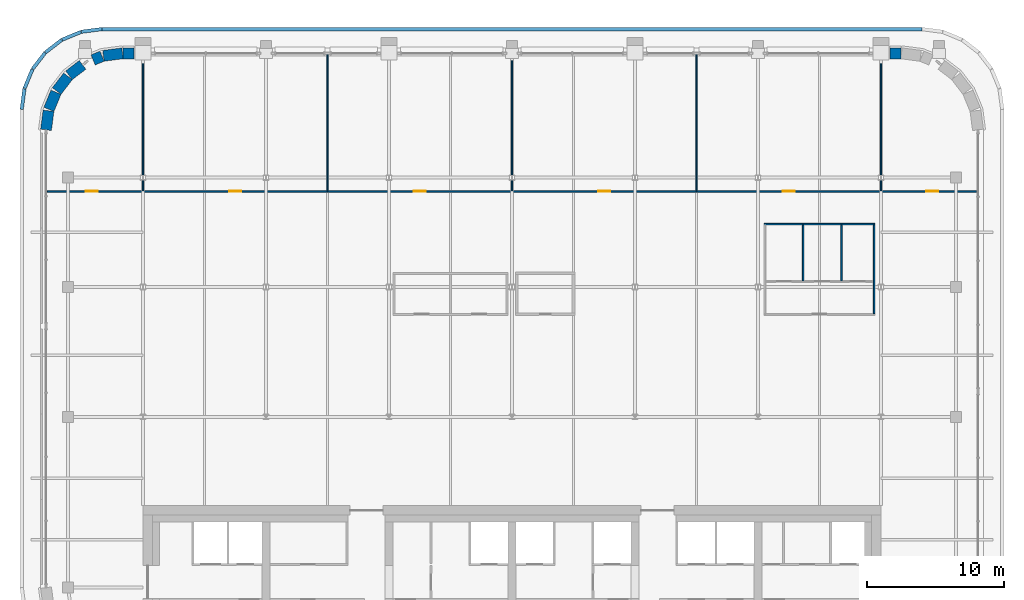
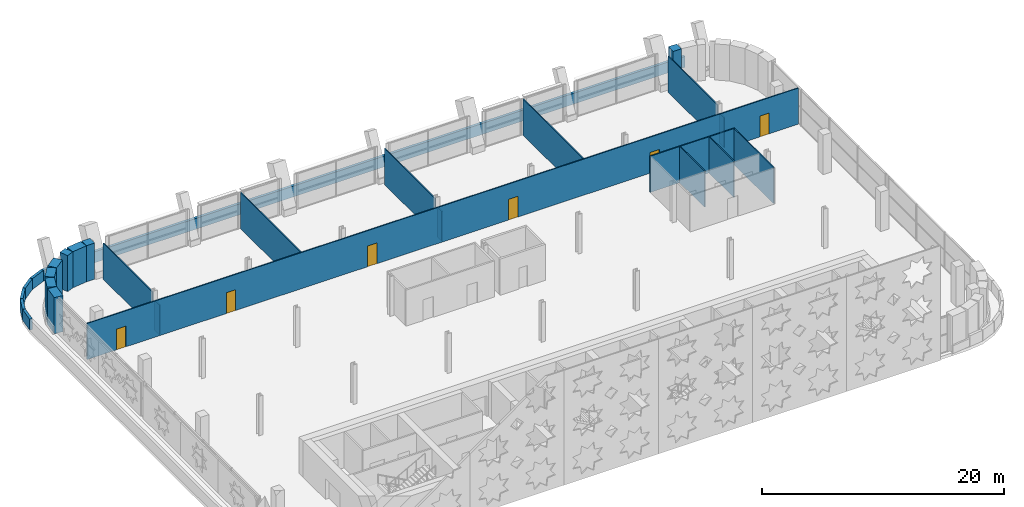
# One storey, part 18 of 25: 28 walls, 6 doors, 6 openings.
"""IFC4 building model written with IfcOpenShell, lengths in metres."""

from ifc_helpers import new_model, si_unit, direction, frame, frame_2d, origin, place, context, subcontext, project, spatial, rectangle, extrude, material, layer, layer_set, type_object, element, fill, save


model = new_model("IFC4")

# Units and contexts
model_context = context("Model", 3, precision=1e-05, world=origin(), true_north=direction((0.0, 1.0)))
body_context = subcontext(model_context, "Body", "Model", "MODEL_VIEW")
ifc_project = project(units=[si_unit("LENGTHUNIT", "METRE"), si_unit("AREAUNIT", "SQUARE_METRE"), si_unit("VOLUMEUNIT", "CUBIC_METRE"), si_unit("PLANEANGLEUNIT", "RADIAN"), si_unit("MASSUNIT", "GRAM", prefix="KILO")], contexts=[model_context])

# Site, building, storey
site_placement = place(None, origin())
site = spatial("IfcSite", under=ifc_project, at=site_placement, CompositionType="ELEMENT")
building_placement = place(site_placement, origin())
building = spatial("IfcBuilding", under=site, at=building_placement, Name="Zellij Exchange Tower", CompositionType="ELEMENT")
storey_placement = place(building_placement, frame((0.0, 0.0, 264.5)))
storey = spatial("IfcBuildingStorey", under=building, at=storey_placement, Name="L62", CompositionType="ELEMENT", Elevation=264.5)

# Walls
ifc_material_1 = material(Name="Precast concrete C40/50", Category="concrete")
ifc_layer_1 = layer(ifc_material_1, 0.800048828125)
ifc_layer_set_1 = layer_set([ifc_layer_1], Name="Precast concrete C40/50")
wall_type_1 = type_object("IfcWallType", Name="ENV-EW1 Precast stone-piered wall 800", PredefinedType="SOLIDWALL", material=ifc_layer_set_1)
for number, where, z_axis, x_axis, name in (
    (1, (28.447509765625, 31.10009765625, 0.0), (0.0, 0.0, 1.0), (-1.0, 0.0, 0.0), "fac.L62.14a"),
    (2, (-27.64990234375, 31.10009765625, 0.0), (0.0, 0.0, 1.0), (-1.0, 0.0, 0.0), "fac.L62.14j"),
):
    element("IfcWall", number, at=place(storey_placement, frame(where, z_axis=z_axis, x_axis=x_axis)), inside=storey, type_object=wall_type_1, Name=name, PredefinedType="SOLIDWALL", context=body_context, shape_type="SweptSolid", body=[
        extrude(rectangle(XDim=0.797607421875, YDim=0.800048828125, at=frame_2d((0.39892578125, 0.0))), origin(), (0.0, 0.0, 1.0), 3.64990234375),
    ])
wall_1_placement = place(storey_placement, frame((-28.499755859375, 31.0966796875, 0.0), z_axis=(0.0, 0.0, 1.0), x_axis=(-0.99144603414, -0.130517283865, 0.0)))
element("IfcWall", 3, at=wall_1_placement, inside=storey, type_object=wall_type_1, Name="fac.L62.15", PredefinedType="SOLIDWALL", context=body_context, shape_type="SweptSolid", body=[
    extrude(rectangle(XDim=1.408447265625, YDim=0.800048828125, at=frame_2d((0.7041015625, 0.0))), origin(), (0.0, 0.0, 1.0), 3.64990234375),
])
wall_2_placement = place(storey_placement, frame((-29.997314453125, 30.8857421875, 0.0), z_axis=(0.0, 0.0, 1.0), x_axis=(-0.923810617216, -0.382849766253, 0.0)))
element("IfcWall", 4, at=wall_2_placement, inside=storey, type_object=wall_type_1, Name="fac.L62.16", PredefinedType="SOLIDWALL", context=body_context, shape_type="SweptSolid", body=[
    extrude(rectangle(XDim=0.707275390625, YDim=0.800048828125, at=frame_2d((0.353515625, 0.0))), origin(), (0.0, 0.0, 1.0), 3.64990234375),
])
wall_3_placement = place(storey_placement, frame((-31.42138671875, 30.252197265625, 0.0), z_axis=(0.0, 0.0, 1.0), x_axis=(-0.793311514341, -0.608815933771, 0.0)))
element("IfcWall", 5, at=wall_3_placement, inside=storey, type_object=wall_type_1, Name="fac.L62.17", PredefinedType="SOLIDWALL", context=body_context, shape_type="SweptSolid", body=[
    extrude(rectangle(XDim=1.253173828125, YDim=0.800048828125, at=frame_2d((0.62646484375, 0.0))), origin(), (0.0, 0.0, 1.0), 3.64990234375),
])
wall_4_placement = place(storey_placement, frame((-32.4892578125, 29.41552734375, 0.0), z_axis=(0.0, 0.0, 1.0), x_axis=(-0.608866226366, -0.793272915452, 0.0)))
element("IfcWall", 6, at=wall_4_placement, inside=storey, type_object=wall_type_1, Name="fac.L62.18", PredefinedType="SOLIDWALL", context=body_context, shape_type="SweptSolid", body=[
    extrude(rectangle(XDim=1.355712890625, YDim=0.800048828125, at=frame_2d((0.677734375, 0.0))), origin(), (0.0, 0.0, 1.0), 3.64990234375),
])
wall_5_placement = place(storey_placement, frame((-33.366943359375, 28.24951171875, 0.0), z_axis=(0.0, 0.0, 1.0), x_axis=(-0.38276009378, -0.923847774587, 0.0)))
element("IfcWall", 7, at=wall_5_placement, inside=storey, type_object=wall_type_1, Name="fac.L62.19", PredefinedType="SOLIDWALL", context=body_context, shape_type="SweptSolid", body=[
    extrude(rectangle(XDim=1.35546875, YDim=0.800048828125, at=frame_2d((0.677734375, 0.0))), origin(), (0.0, 0.0, 1.0), 3.64990234375),
])
wall_6_placement = place(storey_placement, frame((-33.912841796875, 26.896240234375, 0.0), z_axis=(0.0, 0.0, 1.0), x_axis=(-0.130517283865, -0.99144603414, 0.0)))
element("IfcWall", 8, at=wall_6_placement, inside=storey, type_object=wall_type_1, Name="fac.L62.20", PredefinedType="SOLIDWALL", context=body_context, shape_type="SweptSolid", body=[
    extrude(rectangle(XDim=1.408447265625, YDim=0.800048828125, at=frame_2d((0.7041015625, 0.0))), origin(), (0.0, 0.0, 1.0), 3.64990234375),
])
ifc_layer_2 = layer(ifc_material_1, 0.25)
ifc_layer_set_2 = layer_set([ifc_layer_2], Name="Precast concrete C40/50")
wall_type_2 = type_object("IfcWallType", Name="ENV-PR1 Parapet 250", PredefinedType="PARAPET", material=ifc_layer_set_2)
wall_7_placement = place(storey_placement, frame((29.983642578125, 32.875, 0.0), z_axis=(0.0, 0.0, 1.0), x_axis=(-1.0, 0.0, 0.0)))
element("IfcWall", 9, at=wall_7_placement, inside=storey, type_object=wall_type_2, Name="fac.par.L62.01.01.14", PredefinedType="PARAPET", context=body_context, shape_type="SweptSolid", body=[
    extrude(rectangle(XDim=59.96728515625, YDim=0.25, at=frame_2d((29.983642578125, 0.0))), origin(), (0.0, 0.0, 1.0), 1.10009765625),
])
wall_8_placement = place(storey_placement, frame((-30.0, 32.873779296875, 0.0), z_axis=(0.0, 0.0, 1.0), x_axis=(-0.991465248625, -0.130371242108, 0.0)))
element("IfcWall", 10, at=wall_8_placement, inside=storey, type_object=wall_type_2, Name="fac.par.L62.01.01.15", PredefinedType="PARAPET", context=body_context, shape_type="SweptSolid", body=[
    extrude(rectangle(XDim=1.516845703125, YDim=0.25, at=frame_2d((0.75830078125, 0.0))), origin(), (0.0, 0.0, 1.0), 1.10009765625),
])
for number, where, z_axis, x_axis, name in (
    (11, (-31.535400390625, 32.66748046875, 0.0), (0.0, 0.0, 1.0), (-0.923874044744, -0.382696680739, 0.0), "fac.par.L62.01.01.16"),
    (12, (-32.949951171875, 32.076904296875, 0.0), (0.0, 0.0, 1.0), (-0.793391561776, -0.608711614562, 0.0), "fac.par.L62.01.01.17"),
    (13, (-34.16357421875, 31.140380859375, 0.0), (0.0, 0.0, 1.0), (-0.608711614562, -0.793391561776, 0.0), "fac.par.L62.01.01.18"),
    (14, (-35.09326171875, 29.921630859375, 0.0), (0.0, 0.0, 1.0), (-0.382696680739, -0.923874044744, 0.0), "fac.par.L62.01.01.19"),
):
    element("IfcWall", number, at=place(storey_placement, frame(where, z_axis=z_axis, x_axis=x_axis)), inside=storey, type_object=wall_type_2, Name=name, PredefinedType="PARAPET", context=body_context, shape_type="SweptSolid", body=[
        extrude(rectangle(XDim=1.50048828125, YDim=0.25, at=frame_2d((0.750244140625, 0.0))), origin(), (0.0, 0.0, 1.0), 1.10009765625),
    ])
wall_9_placement = place(storey_placement, frame((-35.676025390625, 28.50390625, 0.0), z_axis=(0.0, 0.0, 1.0), x_axis=(-0.130371242108, -0.991465248625, 0.0)))
element("IfcWall", 15, at=wall_9_placement, inside=storey, type_object=wall_type_2, Name="fac.par.L62.01.01.20", PredefinedType="PARAPET", context=body_context, shape_type="SweptSolid", body=[
    extrude(rectangle(XDim=1.516845703125, YDim=0.25, at=frame_2d((0.75830078125, 0.0))), origin(), (0.0, 0.0, 1.0), 1.10009765625),
])
ifc_material_2 = material(Name="Gypsum board partition on steel studs", Category="steel")
ifc_layer_3 = layer(ifc_material_2, 0.10009765625)
ifc_layer_set_3 = layer_set([ifc_layer_3], Name="Gypsum board partition on steel studs")
wall_type_3 = type_object("IfcWallType", Name="FIT-PARTITION-100", PredefinedType="PARTITIONING", material=ifc_layer_set_3)
wall_10_placement = place(storey_placement, frame((26.5, 12.050048828125, 0.0), z_axis=(0.0, 0.0, 1.0), x_axis=(0.0, 1.0, 0.0)))
element("IfcWall", 16, at=wall_10_placement, inside=storey, type_object=wall_type_3, Name="FIT-PARTITION-100 010", PredefinedType="PARTITIONING", context=body_context, shape_type="SweptSolid", body=[
    extrude(rectangle(XDim=6.5, YDim=0.10009765625, at=frame_2d((3.25, 0.0))), origin(), (0.0, 0.0, 1.0), 3.64990234375),
])
for number, where, z_axis, x_axis, name in (
    (17, (21.300048828125, 14.449951171875, 0.0), (0.0, 0.0, 1.0), (0.0, 1.0, 0.0), "FIT-PARTITION-100 012"),
    (18, (24.10009765625, 14.449951171875, 0.0), (0.0, 0.0, 1.0), (0.0, 1.0, 0.0), "FIT-PARTITION-100 013"),
):
    element("IfcWall", number, at=place(storey_placement, frame(where, z_axis=z_axis, x_axis=x_axis)), inside=storey, type_object=wall_type_3, Name=name, PredefinedType="PARTITIONING", context=body_context, shape_type="SweptSolid", body=[
        extrude(rectangle(XDim=4.10009765625, YDim=0.10009765625, at=frame_2d((2.050048828125, 0.0))), origin(), (0.0, 0.0, 1.0), 3.64990234375),
    ])
wall_11_placement = place(storey_placement, frame((18.449951171875, 18.60009765625, 0.0), z_axis=(0.0, 0.0, 1.0), x_axis=(1.0, 0.0, 0.0)))
element("IfcWall", 19, at=wall_11_placement, inside=storey, type_object=wall_type_3, Name="FIT-PARTITION-100 016", PredefinedType="PARTITIONING", context=body_context, shape_type="SweptSolid", body=[
    extrude(rectangle(XDim=8.10009765625, YDim=0.10009765625, at=frame_2d((4.050048828125, 0.0))), origin(), (0.0, 0.0, 1.0), 3.64990234375),
])

# Wall, openings, doors
wall_12_placement = place(storey_placement, frame((-33.99609375, 21.0, 0.0), z_axis=(0.0, 0.0, 1.0), x_axis=(1.0, 0.0, 0.0)))
wall_12 = element("IfcWall", 20, at=wall_12_placement, inside=storey, type_object=wall_type_3, Name="FIT-PARTITION-100 017", PredefinedType="PARTITIONING", context=body_context, shape_type="SweptSolid", body=[
    extrude(rectangle(XDim=67.9921875, YDim=0.10009765625, at=frame_2d((33.99609375, 0.0))), origin(), (0.0, 0.0, 1.0), 3.64990234375),
])
opening_1_placement = place(wall_12_placement, frame((2.7958984375, 0.0, 0.0)))
opening_1 = element("IfcOpeningElement", 21, at=opening_1_placement, cuts=wall_12, Name="Opening SL62.08", PredefinedType="OPENING", context=body_context, shape_type="SweptSolid", body=[
    extrude(rectangle(XDim=0.89990234375, YDim=2.10009765625, at=frame_2d((0.449951171875, 1.050048828125))), frame((0.0, 0.06201171875, 0.0), z_axis=(0.0, -1.0, 0.0), x_axis=(1.0, 0.0, 0.0)), (0.0, 0.0, 1.0), 0.1240234375),
])
opening_2_placement = place(wall_12_placement, frame((13.2958984375, 0.0, 0.0)))
opening_2 = element("IfcOpeningElement", 22, at=opening_2_placement, cuts=wall_12, Name="Opening SL62.09", PredefinedType="OPENING", context=body_context, shape_type="SweptSolid", body=[
    extrude(rectangle(XDim=0.89990234375, YDim=2.10009765625, at=frame_2d((0.449951171875, 1.050048828125))), frame((0.0, 0.06201171875, 0.0), z_axis=(0.0, -1.0, 0.0), x_axis=(1.0, 0.0, 0.0)), (0.0, 0.0, 1.0), 0.1240234375),
])
opening_3_placement = place(wall_12_placement, frame((26.7958984375, 0.0, 0.0)))
opening_3 = element("IfcOpeningElement", 23, at=opening_3_placement, cuts=wall_12, Name="Opening SL62.10", PredefinedType="OPENING", context=body_context, shape_type="SweptSolid", body=[
    extrude(rectangle(XDim=0.89990234375, YDim=2.10009765625, at=frame_2d((0.449951171875, 1.050048828125))), frame((0.0, 0.06201171875, 0.0), z_axis=(0.0, -1.0, 0.0), x_axis=(1.0, 0.0, 0.0)), (0.0, 0.0, 1.0), 0.1240234375),
])
opening_4_placement = place(wall_12_placement, frame((40.2958984375, 0.0, 0.0)))
opening_4 = element("IfcOpeningElement", 24, at=opening_4_placement, cuts=wall_12, Name="Opening SL62.11", PredefinedType="OPENING", context=body_context, shape_type="SweptSolid", body=[
    extrude(rectangle(XDim=0.89990234375, YDim=2.10009765625, at=frame_2d((0.449951171875, 1.050048828125))), frame((0.0, 0.06201171875, 0.0), z_axis=(0.0, -1.0, 0.0), x_axis=(1.0, 0.0, 0.0)), (0.0, 0.0, 1.0), 0.1240234375),
])
opening_5_placement = place(wall_12_placement, frame((53.7958984375, 0.0, 0.0)))
opening_5 = element("IfcOpeningElement", 25, at=opening_5_placement, cuts=wall_12, Name="Opening SL62.12", PredefinedType="OPENING", context=body_context, shape_type="SweptSolid", body=[
    extrude(rectangle(XDim=0.89990234375, YDim=2.10009765625, at=frame_2d((0.449951171875, 1.050048828125))), frame((0.0, 0.06201171875, 0.0), z_axis=(0.0, -1.0, 0.0), x_axis=(1.0, 0.0, 0.0)), (0.0, 0.0, 1.0), 0.1240234375),
])
opening_6_placement = place(wall_12_placement, frame((64.2958984375, 0.0, 0.0)))
opening_6 = element("IfcOpeningElement", 26, at=opening_6_placement, cuts=wall_12, Name="Opening SL62.13", PredefinedType="OPENING", context=body_context, shape_type="SweptSolid", body=[
    extrude(rectangle(XDim=0.89990234375, YDim=2.10009765625, at=frame_2d((0.449951171875, 1.050048828125))), frame((0.0, 0.06201171875, 0.0), z_axis=(0.0, -1.0, 0.0), x_axis=(1.0, 0.0, 0.0)), (0.0, 0.0, 1.0), 0.1240234375),
])
ifc_material_3 = material(Name="Timber door set", Category="wood")
door_type = type_object("IfcDoorType", Name="FIT-D1-ROOM-900X2100", OperationType="SINGLE_SWING_LEFT", PredefinedType="DOOR", material=ifc_material_3)
door_1_placement = place(opening_1_placement, origin())
door_1 = element("IfcDoor", 27, at=door_1_placement, inside=storey, type_object=door_type, Name="Door SL62.08", OperationType="SINGLE_SWING_RIGHT", OverallHeight=2.10009765625, OverallWidth=0.89990234375, PredefinedType="DOOR", context=body_context, shape_type="SweptSolid", body=[
    extrude(rectangle(XDim=0.89990234375, YDim=2.10009765625, at=frame_2d((0.449951171875, 1.050048828125))), frame((0.0, 0.02490234375, 0.0), z_axis=(0.0, -1.0, 0.0), x_axis=(1.0, 0.0, 0.0)), (0.0, 0.0, 1.0), 0.050048828125),
])
fill(opening_1, door_1)
door_2_placement = place(opening_2_placement, origin())
door_2 = element("IfcDoor", 28, at=door_2_placement, inside=storey, type_object=door_type, Name="Door SL62.09", OperationType="SINGLE_SWING_RIGHT", OverallHeight=2.10009765625, OverallWidth=0.89990234375, PredefinedType="DOOR", context=body_context, shape_type="SweptSolid", body=[
    extrude(rectangle(XDim=0.89990234375, YDim=2.10009765625, at=frame_2d((0.449951171875, 1.050048828125))), frame((0.0, 0.02490234375, 0.0), z_axis=(0.0, -1.0, 0.0), x_axis=(1.0, 0.0, 0.0)), (0.0, 0.0, 1.0), 0.050048828125),
])
fill(opening_2, door_2)
door_3_placement = place(opening_3_placement, origin())
door_3 = element("IfcDoor", 29, at=door_3_placement, inside=storey, type_object=door_type, Name="Door SL62.10", OperationType="SINGLE_SWING_RIGHT", OverallHeight=2.10009765625, OverallWidth=0.89990234375, PredefinedType="DOOR", context=body_context, shape_type="SweptSolid", body=[
    extrude(rectangle(XDim=0.89990234375, YDim=2.10009765625, at=frame_2d((0.449951171875, 1.050048828125))), frame((0.0, 0.02490234375, 0.0), z_axis=(0.0, -1.0, 0.0), x_axis=(1.0, 0.0, 0.0)), (0.0, 0.0, 1.0), 0.050048828125),
])
fill(opening_3, door_3)
door_4_placement = place(opening_4_placement, origin())
door_4 = element("IfcDoor", 30, at=door_4_placement, inside=storey, type_object=door_type, Name="Door SL62.11", OperationType="SINGLE_SWING_RIGHT", OverallHeight=2.10009765625, OverallWidth=0.89990234375, PredefinedType="DOOR", context=body_context, shape_type="SweptSolid", body=[
    extrude(rectangle(XDim=0.89990234375, YDim=2.10009765625, at=frame_2d((0.449951171875, 1.050048828125))), frame((0.0, 0.02490234375, 0.0), z_axis=(0.0, -1.0, 0.0), x_axis=(1.0, 0.0, 0.0)), (0.0, 0.0, 1.0), 0.050048828125),
])
fill(opening_4, door_4)
door_5_placement = place(opening_5_placement, origin())
door_5 = element("IfcDoor", 31, at=door_5_placement, inside=storey, type_object=door_type, Name="Door SL62.12", OperationType="SINGLE_SWING_RIGHT", OverallHeight=2.10009765625, OverallWidth=0.89990234375, PredefinedType="DOOR", context=body_context, shape_type="SweptSolid", body=[
    extrude(rectangle(XDim=0.89990234375, YDim=2.10009765625, at=frame_2d((0.449951171875, 1.050048828125))), frame((0.0, 0.02490234375, 0.0), z_axis=(0.0, -1.0, 0.0), x_axis=(1.0, 0.0, 0.0)), (0.0, 0.0, 1.0), 0.050048828125),
])
fill(opening_5, door_5)
door_6_placement = place(opening_6_placement, origin())
door_6 = element("IfcDoor", 32, at=door_6_placement, inside=storey, type_object=door_type, Name="Door SL62.13", OperationType="SINGLE_SWING_LEFT", OverallHeight=2.10009765625, OverallWidth=0.89990234375, PredefinedType="DOOR", context=body_context, shape_type="SweptSolid", body=[
    extrude(rectangle(XDim=0.89990234375, YDim=2.10009765625, at=frame_2d((0.449951171875, 1.050048828125))), frame((0.0, 0.02490234375, 0.0), z_axis=(0.0, -1.0, 0.0), x_axis=(1.0, 0.0, 0.0)), (0.0, 0.0, 1.0), 0.050048828125),
])
fill(opening_6, door_6)

# Walls
wall_13_placement = place(storey_placement, frame((-27.0, 21.050048828125, 0.0), z_axis=(0.0, 0.0, 1.0), x_axis=(0.0, 1.0, 0.0)))
element("IfcWall", 33, at=wall_13_placement, inside=storey, type_object=wall_type_3, Name="FIT-PARTITION-100 018", PredefinedType="PARTITIONING", context=body_context, shape_type="SweptSolid", body=[
    extrude(rectangle(XDim=0.7568359375, YDim=0.10009765625, at=frame_2d((0.37841796875, 0.0))), origin(), (0.0, 0.0, 1.0), 3.04296875),
])
wall_14_placement = place(storey_placement, frame((-27.0, 22.193115234375, 0.0), z_axis=(0.0, 0.0, 1.0), x_axis=(0.0, 1.0, 0.0)))
element("IfcWall", 34, at=wall_14_placement, inside=storey, type_object=wall_type_3, Name="FIT-PARTITION-100 019", PredefinedType="PARTITIONING", context=body_context, shape_type="SweptSolid", body=[
    extrude(rectangle(XDim=8.156982421875, YDim=0.10009765625, at=frame_2d((4.07861328125, 0.0))), origin(), (0.0, 0.0, 1.0), 3.64990234375),
])
wall_15_placement = place(storey_placement, frame((-13.5, 21.050048828125, 0.0), z_axis=(0.0, 0.0, 1.0), x_axis=(0.0, 1.0, 0.0)))
element("IfcWall", 35, at=wall_15_placement, inside=storey, type_object=wall_type_3, Name="FIT-PARTITION-100 020", PredefinedType="PARTITIONING", context=body_context, shape_type="SweptSolid", body=[
    extrude(rectangle(XDim=9.949951171875, YDim=0.10009765625, at=frame_2d((4.97509765625, 0.0))), origin(), (0.0, 0.0, 1.0), 3.64990234375),
])
wall_16_placement = place(storey_placement, frame((0.0, 21.050048828125, 0.0), z_axis=(0.0, 0.0, 1.0), x_axis=(0.0, 1.0, 0.0)))
element("IfcWall", 36, at=wall_16_placement, inside=storey, type_object=wall_type_3, Name="FIT-PARTITION-100 021", PredefinedType="PARTITIONING", context=body_context, shape_type="SweptSolid", body=[
    extrude(rectangle(XDim=0.7568359375, YDim=0.10009765625, at=frame_2d((0.37841796875, 0.0))), origin(), (0.0, 0.0, 1.0), 3.04296875),
])
wall_17_placement = place(storey_placement, frame((0.0, 22.193115234375, 0.0), z_axis=(0.0, 0.0, 1.0), x_axis=(0.0, 1.0, 0.0)))
element("IfcWall", 37, at=wall_17_placement, inside=storey, type_object=wall_type_3, Name="FIT-PARTITION-100 022", PredefinedType="PARTITIONING", context=body_context, shape_type="SweptSolid", body=[
    extrude(rectangle(XDim=8.35693359375, YDim=0.10009765625, at=frame_2d((4.178466796875, 0.0))), origin(), (0.0, 0.0, 1.0), 3.64990234375),
])
wall_18_placement = place(storey_placement, frame((13.5, 21.050048828125, 0.0), z_axis=(0.0, 0.0, 1.0), x_axis=(0.0, 1.0, 0.0)))
element("IfcWall", 38, at=wall_18_placement, inside=storey, type_object=wall_type_3, Name="FIT-PARTITION-100 023", PredefinedType="PARTITIONING", context=body_context, shape_type="SweptSolid", body=[
    extrude(rectangle(XDim=9.949951171875, YDim=0.10009765625, at=frame_2d((4.97509765625, 0.0))), origin(), (0.0, 0.0, 1.0), 3.64990234375),
])
wall_19_placement = place(storey_placement, frame((27.0, 21.050048828125, 0.0), z_axis=(0.0, 0.0, 1.0), x_axis=(0.0, 1.0, 0.0)))
element("IfcWall", 39, at=wall_19_placement, inside=storey, type_object=wall_type_3, Name="FIT-PARTITION-100 024", PredefinedType="PARTITIONING", context=body_context, shape_type="SweptSolid", body=[
    extrude(rectangle(XDim=0.7568359375, YDim=0.10009765625, at=frame_2d((0.37841796875, 0.0))), origin(), (0.0, 0.0, 1.0), 3.04296875),
])
wall_20_placement = place(storey_placement, frame((27.0, 22.193115234375, 0.0), z_axis=(0.0, 0.0, 1.0), x_axis=(0.0, 1.0, 0.0)))
element("IfcWall", 40, at=wall_20_placement, inside=storey, type_object=wall_type_3, Name="FIT-PARTITION-100 025", PredefinedType="PARTITIONING", context=body_context, shape_type="SweptSolid", body=[
    extrude(rectangle(XDim=8.156982421875, YDim=0.10009765625, at=frame_2d((4.07861328125, 0.0))), origin(), (0.0, 0.0, 1.0), 3.64990234375),
])

save(model, "model.ifc")
